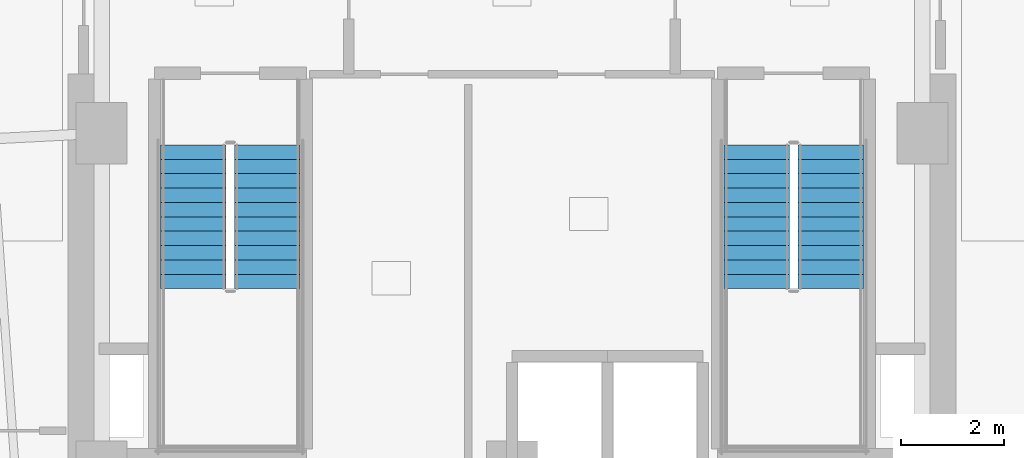
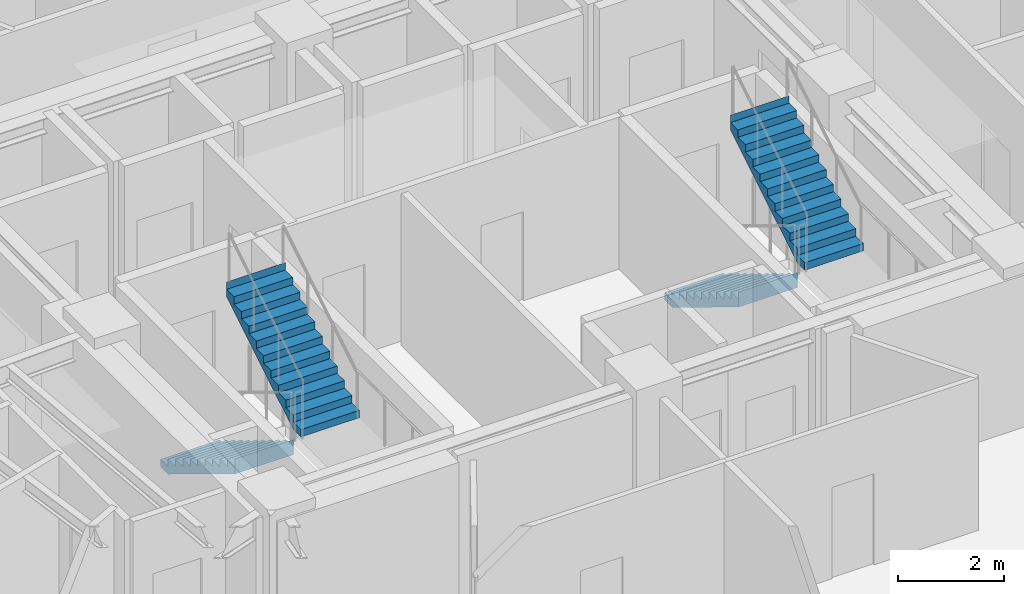
# One storey, part 9 of 12: 4 stair flights, 2 elements without a shape of their own.
"""IFC4 building model written with IfcOpenShell, lengths in metres."""

from ifc_helpers import new_model, si_unit, direction, frame, origin, place, context, subcontext, project, spatial, polyline, outline, extrude, material, type_object, element, aggregate, save


model = new_model("IFC4")

# Units and contexts
model_context = context("Model", 3, precision=1e-05, world=origin(), true_north=direction((0.0, 1.0)))
body_context = subcontext(model_context, "Body", "Model", "MODEL_VIEW")
ifc_project = project(units=[si_unit("LENGTHUNIT", "METRE"), si_unit("AREAUNIT", "SQUARE_METRE"), si_unit("VOLUMEUNIT", "CUBIC_METRE"), si_unit("PLANEANGLEUNIT", "RADIAN"), si_unit("MASSUNIT", "GRAM", prefix="KILO")], contexts=[model_context])

# Site, building, storey
site_placement = place(None, origin())
site = spatial("IfcSite", under=ifc_project, at=site_placement, CompositionType="ELEMENT")
building_placement = place(site_placement, origin())
building = spatial("IfcBuilding", under=site, at=building_placement, Name="Ndelora Gate Hotel", CompositionType="ELEMENT")
storey_placement = place(building_placement, frame((0.0, 0.0, 101.0)))
storey = spatial("IfcBuildingStorey", under=building, at=storey_placement, Name="L24", CompositionType="ELEMENT", Elevation=101.0)

# Stair, stair flights
ifc_material = material(Name="Precast concrete C40/50", Category="concrete")
stair_type = type_object("IfcStairType", Name="STR-DOG-CORE", PredefinedType="HALF_TURN_STAIR", material=ifc_material)
stair_1_placement = place(storey_placement, origin())
stair_1 = element("IfcStair", 1, at=stair_1_placement, inside=storey, type_object=stair_type, Name="L24 Protected Core Exit Stair ST4", PredefinedType="HALF_TURN_STAIR")
stair_flight_type = type_object("IfcStairFlightType", Name="STF-PRECAST", PredefinedType="STRAIGHT", material=ifc_material)
stair_flight_1_placement = place(storey_placement, frame((-6.2099609375, -0.22998046875, 0.0), z_axis=(0.0, 0.0, 1.0), x_axis=(0.0, -1.0, 0.0)))
stair_flight_1 = element("IfcStairFlight", 2, at=stair_flight_1_placement, type_object=stair_flight_type, Name="ST4 flight 1", NumberOfRisers=11, NumberOfTreads=10, PredefinedType="STRAIGHT", RiserHeight=0.170454545, TreadLength=0.28, context=body_context, shape_type="SweptSolid", body=[
    extrude(outline(polyline([(-0.00048828125, 0.0), (-0.00048828125, 0.17041015625), (0.0, 0.17041015625), (0.280029296875, 0.17041015625), (0.280029296875, 0.3408203125), (0.56005859375, 0.3408203125), (0.56005859375, 0.511474609375), (0.840087890625, 0.511474609375), (0.840087890625, 0.681884765625), (1.1201171875, 0.681884765625), (1.1201171875, 0.852294921875), (1.39990234375, 0.852294921875), (1.39990234375, 1.022705078125), (1.679931640625, 1.022705078125), (1.679931640625, 1.193115234375), (1.9599609375, 1.193115234375), (1.9599609375, 1.363525390625), (2.239990234375, 1.363525390625), (2.239990234375, 1.5341796875), (2.52001953125, 1.5341796875), (2.52001953125, 1.70458984375), (2.800048828125, 1.70458984375), (2.800048828125, 1.875), (2.800537109375, 1.875), (2.800537109375, 1.695068359375), (2.800048828125, 1.529052734375), (0.288330078125, 0.0), (-0.00048828125, 0.0)])), frame((0.0, 0.64013671875, 0.0), z_axis=(0.0, -1.0, 0.0), x_axis=(1.0, 0.0, 0.0)), (0.0, 0.0, 1.0), 1.280029296875),
])
stair_flight_2_placement = place(storey_placement, frame((-4.77001953125, -3.030029296875, 1.875), z_axis=(0.0, 0.0, 1.0), x_axis=(0.0, 1.0, 0.0)))
stair_flight_2 = element("IfcStairFlight", 3, at=stair_flight_2_placement, type_object=stair_flight_type, Name="ST4 flight 2", NumberOfRisers=11, NumberOfTreads=10, PredefinedType="STRAIGHT", RiserHeight=0.170454545, TreadLength=0.28, context=body_context, shape_type="SweptSolid", body=[
    extrude(outline(polyline([(-0.00048828125, 0.0), (-0.00048828125, 0.17041015625), (0.0, 0.17041015625), (0.280029296875, 0.17041015625), (0.280029296875, 0.3408203125), (0.56005859375, 0.3408203125), (0.56005859375, 0.511474609375), (0.840087890625, 0.511474609375), (0.840087890625, 0.681884765625), (1.1201171875, 0.681884765625), (1.1201171875, 0.852294921875), (1.39990234375, 0.852294921875), (1.39990234375, 1.022705078125), (1.679931640625, 1.022705078125), (1.679931640625, 1.193115234375), (1.9599609375, 1.193115234375), (1.9599609375, 1.363525390625), (2.239990234375, 1.363525390625), (2.239990234375, 1.5341796875), (2.52001953125, 1.5341796875), (2.52001953125, 1.70458984375), (2.800048828125, 1.70458984375), (2.800048828125, 1.875), (2.800537109375, 1.875), (2.800537109375, 1.695068359375), (2.800048828125, 1.529052734375), (0.288330078125, 0.0), (-0.00048828125, 0.0)])), frame((0.0, 0.64013671875, 0.0), z_axis=(0.0, -1.0, 0.0), x_axis=(1.0, 0.0, 0.0)), (0.0, 0.0, 1.0), 1.280029296875),
])
aggregate(stair_1, [stair_flight_1, stair_flight_2])

stair_2_placement = place(storey_placement, origin())
stair_2 = element("IfcStair", 4, at=stair_2_placement, inside=storey, type_object=stair_type, Name="L24 Protected Core Exit Stair ST5", PredefinedType="HALF_TURN_STAIR")
stair_flight_3_placement = place(storey_placement, frame((4.77001953125, -0.22998046875, 0.0), z_axis=(0.0, 0.0, 1.0), x_axis=(0.0, -1.0, 0.0)))
stair_flight_3 = element("IfcStairFlight", 5, at=stair_flight_3_placement, type_object=stair_flight_type, Name="ST5 flight 1", NumberOfRisers=11, NumberOfTreads=10, PredefinedType="STRAIGHT", RiserHeight=0.170454545, TreadLength=0.28, context=body_context, shape_type="SweptSolid", body=[
    extrude(outline(polyline([(-0.00048828125, 0.0), (-0.00048828125, 0.17041015625), (0.0, 0.17041015625), (0.280029296875, 0.17041015625), (0.280029296875, 0.3408203125), (0.56005859375, 0.3408203125), (0.56005859375, 0.511474609375), (0.840087890625, 0.511474609375), (0.840087890625, 0.681884765625), (1.1201171875, 0.681884765625), (1.1201171875, 0.852294921875), (1.39990234375, 0.852294921875), (1.39990234375, 1.022705078125), (1.679931640625, 1.022705078125), (1.679931640625, 1.193115234375), (1.9599609375, 1.193115234375), (1.9599609375, 1.363525390625), (2.239990234375, 1.363525390625), (2.239990234375, 1.5341796875), (2.52001953125, 1.5341796875), (2.52001953125, 1.70458984375), (2.800048828125, 1.70458984375), (2.800048828125, 1.875), (2.800537109375, 1.875), (2.800537109375, 1.695068359375), (2.800048828125, 1.529052734375), (0.288330078125, 0.0), (-0.00048828125, 0.0)])), frame((0.0, 0.64013671875, 0.0), z_axis=(0.0, -1.0, 0.0), x_axis=(1.0, 0.0, 0.0)), (0.0, 0.0, 1.0), 1.280029296875),
])
stair_flight_4_placement = place(storey_placement, frame((6.2099609375, -3.030029296875, 1.875), z_axis=(0.0, 0.0, 1.0), x_axis=(0.0, 1.0, 0.0)))
stair_flight_4 = element("IfcStairFlight", 6, at=stair_flight_4_placement, type_object=stair_flight_type, Name="ST5 flight 2", NumberOfRisers=11, NumberOfTreads=10, PredefinedType="STRAIGHT", RiserHeight=0.170454545, TreadLength=0.28, context=body_context, shape_type="SweptSolid", body=[
    extrude(outline(polyline([(-0.00048828125, 0.0), (-0.00048828125, 0.17041015625), (0.0, 0.17041015625), (0.280029296875, 0.17041015625), (0.280029296875, 0.3408203125), (0.56005859375, 0.3408203125), (0.56005859375, 0.511474609375), (0.840087890625, 0.511474609375), (0.840087890625, 0.681884765625), (1.1201171875, 0.681884765625), (1.1201171875, 0.852294921875), (1.39990234375, 0.852294921875), (1.39990234375, 1.022705078125), (1.679931640625, 1.022705078125), (1.679931640625, 1.193115234375), (1.9599609375, 1.193115234375), (1.9599609375, 1.363525390625), (2.239990234375, 1.363525390625), (2.239990234375, 1.5341796875), (2.52001953125, 1.5341796875), (2.52001953125, 1.70458984375), (2.800048828125, 1.70458984375), (2.800048828125, 1.875), (2.800537109375, 1.875), (2.800537109375, 1.695068359375), (2.800048828125, 1.529052734375), (0.288330078125, 0.0), (-0.00048828125, 0.0)])), frame((0.0, 0.64013671875, 0.0), z_axis=(0.0, -1.0, 0.0), x_axis=(1.0, 0.0, 0.0)), (0.0, 0.0, 1.0), 1.280029296875),
])
aggregate(stair_2, [stair_flight_3, stair_flight_4])

save(model, "model.ifc")
